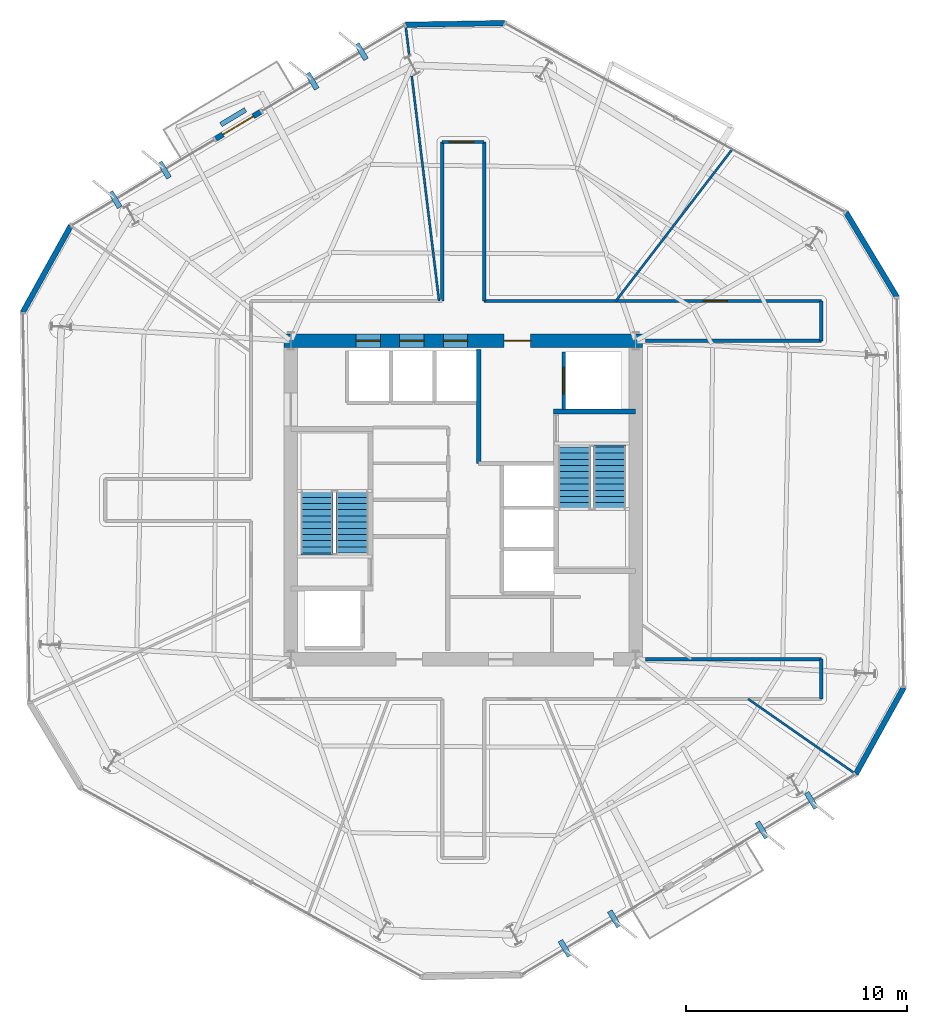
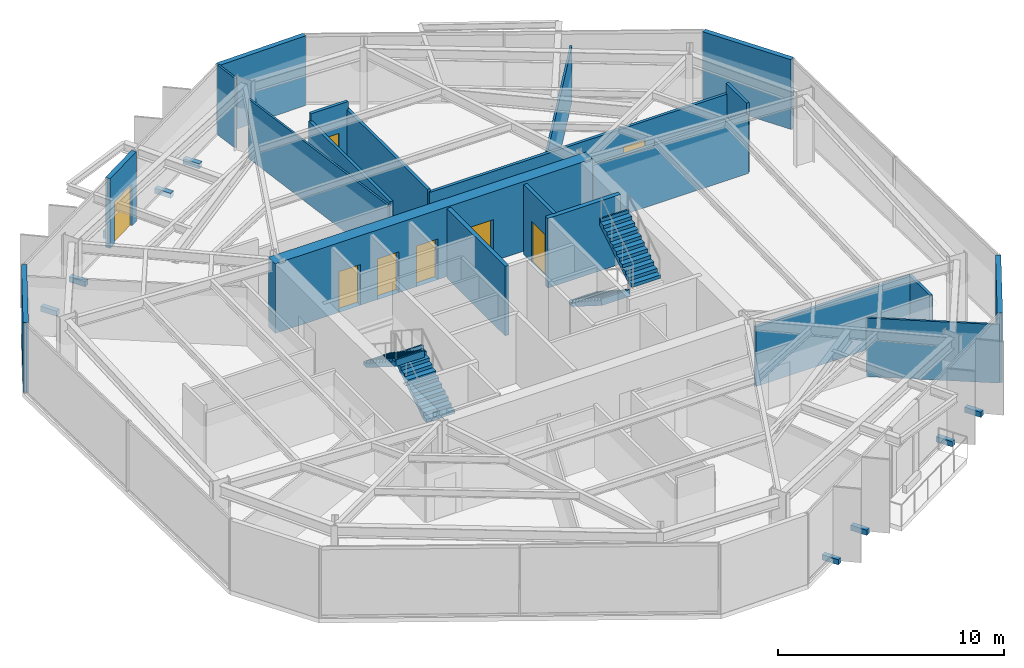
# One storey, part 8 of 11: 22 walls, 8 discrete accessories, 8 doors, 4 stair flights, 8 openings, 2 elements without a shape of their own.
"""IFC4 building model written with IfcOpenShell, lengths in metres."""

from ifc_helpers import new_model, si_unit, direction, frame, frame_2d, origin, origin_2d, place, context, subcontext, project, spatial, polyline, rectangle, outline, extrude, material, layer, layer_set, type_object, element, fill, aggregate, save


model = new_model("IFC4")

# Units and contexts
model_context = context("Model", 3, precision=1e-05, world=origin(), true_north=direction((0.0, 1.0)))
body_context = subcontext(model_context, "Body", "Model", "MODEL_VIEW")
ifc_project = project(units=[si_unit("LENGTHUNIT", "METRE"), si_unit("AREAUNIT", "SQUARE_METRE"), si_unit("VOLUMEUNIT", "CUBIC_METRE"), si_unit("PLANEANGLEUNIT", "RADIAN"), si_unit("MASSUNIT", "GRAM", prefix="KILO")], contexts=[model_context])

# Site, building, storey
site_placement = place(None, origin())
site = spatial("IfcSite", under=ifc_project, at=site_placement, CompositionType="ELEMENT")
building_placement = place(site_placement, origin())
building = spatial("IfcBuilding", under=site, at=building_placement, Name="Kranzbogen Civic Tower", CompositionType="ELEMENT")
storey_placement = place(building_placement, frame((0.0, 0.0, 146.39990234375)))
storey = spatial("IfcBuildingStorey", under=building, at=storey_placement, Name="L35", CompositionType="ELEMENT", Elevation=146.39990234375)

# Wall
ifc_material_1 = material(Name="Double-Stud Acoustic Gypsum Partition")
ifc_layer_1 = layer(ifc_material_1, 0.14990234375, Name="Double-Stud Acoustic Gypsum Partition")
ifc_layer_set_1 = layer_set([ifc_layer_1], Name="Double-Stud Acoustic Gypsum Partition")
wall_type_1 = type_object("IfcWallType", Name="Acoustic Corridor and Clinical Partition 150 mm", PredefinedType="PARTITIONING", material=ifc_layer_set_1)
wall_1_placement = place(storey_placement, frame((24.050048828125, 34.0, 0.0), z_axis=(0.0, 0.0, 1.0), x_axis=(0.0, 1.0, 0.0)))
element("IfcWall", 1, at=wall_1_placement, inside=storey, type_object=wall_type_1, Name="L35 corridor partition 11", PredefinedType="PARTITIONING", context=body_context, shape_type="SweptSolid", body=[
    extrude(rectangle(XDim=7.199951171875, YDim=0.14990234375, at=frame_2d((3.60009765625, 0.0))), origin(), (0.0, 0.0, 1.0), 3.360107421875),
])

# Wall, opening, door
wall_2_placement = place(storey_placement, frame((24.050048828125, 41.199951171875, 0.0), z_axis=(0.0, 0.0, 1.0), x_axis=(1.0, 0.0, 0.0)))
wall_2 = element("IfcWall", 2, at=wall_2_placement, inside=storey, type_object=wall_type_1, Name="L35 corridor partition 12", PredefinedType="PARTITIONING", context=body_context, shape_type="SweptSolid", body=[
    extrude(rectangle(XDim=1.89990234375, YDim=0.14990234375, at=frame_2d((0.949951171875, 0.0))), origin(), (0.0, 0.0, 1.0), 3.760009765625),
])
opening_1_placement = place(wall_2_placement, frame((0.320068359375, 0.0, 0.0)))
opening_1 = element("IfcOpeningElement", 3, at=opening_1_placement, cuts=wall_2, Name="Opening D-COR60", PredefinedType="OPENING", context=body_context, shape_type="SweptSolid", body=[
    extrude(rectangle(XDim=1.10009765625, YDim=2.199951171875, at=frame_2d((0.550048828125, 1.10009765625))), frame((0.0, 0.0849609375, 0.0), z_axis=(0.0, -1.0, 0.0), x_axis=(1.0, 0.0, 0.0)), (0.0, 0.0, 1.0), 0.169921875),
])
ifc_material_2 = material(Name="Oak Timber and Fire Core", Category="wood")
door_type_1 = type_object("IfcDoorType", Name="Corridor Acoustic Fire Door 1100x2200", OperationType="NOTDEFINED", PredefinedType="DOOR", material=ifc_material_2)
door_1_placement = place(opening_1_placement, origin())
door_1 = element("IfcDoor", 4, at=door_1_placement, inside=storey, type_object=door_type_1, Name="L35 Central Mail Post Room door", OperationType="SINGLE_SWING_RIGHT", OverallHeight=2.199951171875, OverallWidth=1.10009765625, PredefinedType="DOOR", context=body_context, shape_type="SweptSolid", body=[
    extrude(rectangle(XDim=1.10009765625, YDim=2.199951171875, at=frame_2d((0.550048828125, 1.10009765625))), frame((0.0, 0.02490234375, 0.0), z_axis=(0.0, -1.0, 0.0), x_axis=(1.0, 0.0, 0.0)), (0.0, 0.0, 1.0), 0.050048828125),
])
fill(opening_1, door_1)

# Wall
wall_3_placement = place(storey_placement, frame((25.949951171875, 41.199951171875, 0.0), z_axis=(0.0, 0.0, 1.0), x_axis=(0.0, -1.0, 0.0)))
element("IfcWall", 5, at=wall_3_placement, inside=storey, type_object=wall_type_1, Name="L35 corridor partition 13", PredefinedType="PARTITIONING", context=body_context, shape_type="SweptSolid", body=[
    extrude(rectangle(XDim=7.199951171875, YDim=0.14990234375, at=frame_2d((3.60009765625, 0.0))), origin(), (0.0, 0.0, 1.0), 3.360107421875),
])

# Wall, opening, door
wall_4_placement = place(storey_placement, frame((25.949951171875, 34.0, 0.0), z_axis=(0.0, 0.0, 1.0), x_axis=(1.0, 0.0, 0.0)))
wall_4 = element("IfcWall", 6, at=wall_4_placement, inside=storey, type_object=wall_type_1, Name="L35 corridor partition 14", PredefinedType="PARTITIONING", context=body_context, shape_type="SweptSolid", body=[
    extrude(rectangle(XDim=15.25, YDim=0.14990234375, at=frame_2d((7.625, 0.0))), origin(), (0.0, 0.0, 1.0), 3.210205078125),
])
opening_2_placement = place(wall_4_placement, frame((9.90087890625, 0.0, 0.0)))
opening_2 = element("IfcOpeningElement", 7, at=opening_2_placement, cuts=wall_4, Name="Opening D-COR60", PredefinedType="OPENING", context=body_context, shape_type="SweptSolid", body=[
    extrude(rectangle(XDim=1.10009765625, YDim=2.199951171875, at=frame_2d((0.550048828125, 1.10009765625))), frame((0.0, 0.0849609375, 0.0), z_axis=(0.0, -1.0, 0.0), x_axis=(1.0, 0.0, 0.0)), (0.0, 0.0, 1.0), 0.169921875),
])
door_2_placement = place(opening_2_placement, origin())
door_2 = element("IfcDoor", 8, at=door_2_placement, inside=storey, type_object=door_type_1, Name="L35 Operations Security Control Room door", OperationType="SINGLE_SWING_LEFT", OverallHeight=2.199951171875, OverallWidth=1.10009765625, PredefinedType="DOOR", context=body_context, shape_type="SweptSolid", body=[
    extrude(rectangle(XDim=1.10009765625, YDim=2.199951171875, at=frame_2d((0.550048828125, 1.10009765625))), frame((0.0, 0.02490234375, 0.0), z_axis=(0.0, -1.0, 0.0), x_axis=(1.0, 0.0, 0.0)), (0.0, 0.0, 1.0), 0.050048828125),
])
fill(opening_2, door_2)

# Walls
wall_5_placement = place(storey_placement, frame((41.199951171875, 34.0, 0.0), z_axis=(0.0, 0.0, 1.0), x_axis=(0.0, -1.0, 0.0)))
element("IfcWall", 9, at=wall_5_placement, inside=storey, type_object=wall_type_1, Name="L35 corridor partition 15", PredefinedType="PARTITIONING", context=body_context, shape_type="SweptSolid", body=[
    extrude(rectangle(XDim=1.800048828125, YDim=0.14990234375, at=frame_2d((0.89990234375, 0.0))), origin(), (0.0, 0.0, 1.0), 3.760009765625),
])
for number, where, z_axis, x_axis, name in (
    (10, (41.199951171875, 32.199951171875, 0.0), (0.0, 0.0, 1.0), (-1.0, 0.0, 0.0), "L35 corridor partition 16"),
    (11, (33.2470703125, 17.800048828125, 0.0), (0.0, 0.0, 1.0), (1.0, 0.0, 0.0), "L35 corridor partition 17"),
):
    element("IfcWall", number, at=place(storey_placement, frame(where, z_axis=z_axis, x_axis=x_axis)), inside=storey, type_object=wall_type_1, Name=name, PredefinedType="PARTITIONING", context=body_context, shape_type="SweptSolid", body=[
        extrude(rectangle(XDim=7.952880859375, YDim=0.14990234375, at=frame_2d((3.9765625, 0.0))), origin(), (0.0, 0.0, 1.0), 3.210205078125),
    ])
wall_6_placement = place(storey_placement, frame((41.199951171875, 17.800048828125, 0.0), z_axis=(0.0, 0.0, 1.0), x_axis=(0.0, -1.0, 0.0)))
element("IfcWall", 12, at=wall_6_placement, inside=storey, type_object=wall_type_1, Name="L35 corridor partition 18", PredefinedType="PARTITIONING", context=body_context, shape_type="SweptSolid", body=[
    extrude(rectangle(XDim=1.800048828125, YDim=0.14990234375, at=frame_2d((0.89990234375, 0.0))), origin(), (0.0, 0.0, 1.0), 3.210205078125),
])
ifc_material_3 = material(Name="Architectural Precast Terracotta Concrete C40/50", Category="masonry")
ifc_layer_2 = layer(ifc_material_3, 0.219970703125, Name="Architectural Precast Terracotta Concrete C40/50")
ifc_layer_set_2 = layer_set([ifc_layer_2], Name="Architectural Precast Terracotta Concrete C40/50")
wall_type_2 = type_object("IfcWallType", Name="Architectural Tree Planter Kerb Wall 220 mm", PredefinedType="USERDEFINED", material=ifc_layer_set_2)
wall_7_placement = place(storey_placement, frame((15.15087890625, 42.654052734375, 0.0), z_axis=(0.0, 0.0, 1.0), x_axis=(-0.856845918969, -0.515572566324, 0.0)))
element("IfcWall", 13, at=wall_7_placement, inside=storey, type_object=wall_type_2, Name="L35 landscaped tree balcony planter L35-TB2", ObjectType="PLANTER_WALL", PredefinedType="USERDEFINED", context=body_context, shape_type="SweptSolid", body=[
    extrude(rectangle(XDim=1.2998046875, YDim=0.219970703125, at=frame_2d((0.64990234375, 0.0))), origin(), (0.0, 0.0, 1.0), 0.400146484375),
])

# Wall, openings, doors
ifc_material_4 = material(Name="Concrete C55/67", Category="concrete")
ifc_layer_3 = layer(ifc_material_4, 0.60009765625, Name="Concrete C55/67")
ifc_layer_set_3 = layer_set([ifc_layer_3], Name="Concrete C55/67")
wall_type_3 = type_object("IfcWallType", Name="Central Core Shear Wall 600 mm", PredefinedType="SHEAR", material=ifc_layer_set_3)
wall_8_placement = place(storey_placement, frame((33.10009765625, 32.199951171875, 0.0), z_axis=(0.0, 0.0, 1.0), x_axis=(-1.0, 0.0, 0.0)))
wall_8 = element("IfcWall", 14, at=wall_8_placement, inside=storey, type_object=wall_type_3, Name="L35 central core North shear wall", PredefinedType="SHEAR", context=body_context, shape_type="SweptSolid", body=[
    extrude(rectangle(XDim=16.2001953125, YDim=0.60009765625, at=frame_2d((8.10009765625, 0.0))), origin(), (0.0, 0.0, 1.0), 3.760009765625),
])
opening_3_placement = place(wall_8_placement, frame((5.050048828125, 0.0, 0.0)))
opening_3 = element("IfcOpeningElement", 15, at=opening_3_placement, cuts=wall_8, Name="Opening D-EX120", PredefinedType="OPENING", context=body_context, shape_type="SweptSolid", body=[
    extrude(rectangle(XDim=1.199951171875, YDim=2.25, at=frame_2d((0.60009765625, 1.125))), frame((0.0, 0.31005859375, 0.0), z_axis=(0.0, -1.0, 0.0), x_axis=(1.0, 0.0, 0.0)), (0.0, 0.0, 1.0), 0.6201171875),
])
opening_4_placement = place(wall_8_placement, frame((11.85009765625, 0.0, 0.0)))
opening_4 = element("IfcOpeningElement", 16, at=opening_4_placement, cuts=wall_8, Name="Opening LD-MP-01", PredefinedType="OPENING", context=body_context, shape_type="SweptSolid", body=[
    extrude(rectangle(XDim=1.10009765625, YDim=2.199951171875, at=frame_2d((0.550048828125, 1.10009765625))), frame((0.0, 0.31005859375, 0.0), z_axis=(0.0, -1.0, 0.0), x_axis=(1.0, 0.0, 0.0)), (0.0, 0.0, 1.0), 0.6201171875),
])
opening_5_placement = place(wall_8_placement, frame((9.875, 0.0, 0.0)))
opening_5 = element("IfcOpeningElement", 17, at=opening_5_placement, cuts=wall_8, Name="Opening LD-MP-02", PredefinedType="OPENING", context=body_context, shape_type="SweptSolid", body=[
    extrude(rectangle(XDim=1.10009765625, YDim=2.199951171875, at=frame_2d((0.550048828125, 1.10009765625))), frame((0.0, 0.31005859375, 0.0), z_axis=(0.0, -1.0, 0.0), x_axis=(1.0, 0.0, 0.0)), (0.0, 0.0, 1.0), 0.6201171875),
])
opening_6_placement = place(wall_8_placement, frame((7.89990234375, 0.0, 0.0)))
opening_6 = element("IfcOpeningElement", 18, at=opening_6_placement, cuts=wall_8, Name="Opening LD-MP-03", PredefinedType="OPENING", context=body_context, shape_type="SweptSolid", body=[
    extrude(rectangle(XDim=1.10009765625, YDim=2.199951171875, at=frame_2d((0.550048828125, 1.10009765625))), frame((0.0, 0.31005859375, 0.0), z_axis=(0.0, -1.0, 0.0), x_axis=(1.0, 0.0, 0.0)), (0.0, 0.0, 1.0), 0.6201171875),
])
ifc_material_5 = material(Name="Steel S355", Category="steel")
door_type_2 = type_object("IfcDoorType", Name="Exit Passageway Fire Door 1200x2250", OperationType="NOTDEFINED", PredefinedType="DOOR", material=ifc_material_5)
door_3_placement = place(opening_3_placement, origin())
door_3 = element("IfcDoor", 19, at=door_3_placement, inside=storey, type_object=door_type_2, Name="L35 East firefighting lobby corridor door", OperationType="SINGLE_SWING_RIGHT", OverallHeight=2.25, OverallWidth=1.199951171875, PredefinedType="DOOR", context=body_context, shape_type="SweptSolid", body=[
    extrude(rectangle(XDim=1.199951171875, YDim=2.25, at=frame_2d((0.60009765625, 1.125))), frame((0.0, 0.02490234375, 0.0), z_axis=(0.0, -1.0, 0.0), x_axis=(1.0, 0.0, 0.0)), (0.0, 0.0, 1.0), 0.050048828125),
])
fill(opening_3, door_3)
ifc_material_6 = material(Name="Pale Anodised Aluminium", Category="aluminium")
door_type_3 = type_object("IfcDoorType", Name="Passenger Lift Sliding Landing Door 1100x2200", OperationType="DOUBLE_DOOR_SLIDING", PredefinedType="DOOR", material=ifc_material_6)
door_4_placement = place(opening_4_placement, origin())
door_4 = element("IfcDoor", 20, at=door_4_placement, inside=storey, type_object=door_type_3, Name="L35 lift MP-01 sliding landing door", OperationType="DOUBLE_DOOR_SLIDING", OverallHeight=2.199951171875, OverallWidth=1.10009765625, PredefinedType="DOOR", context=body_context, shape_type="SweptSolid", body=[
    extrude(rectangle(XDim=1.10009765625, YDim=2.199951171875, at=frame_2d((0.550048828125, 1.10009765625))), frame((0.0, 0.02490234375, 0.0), z_axis=(0.0, -1.0, 0.0), x_axis=(1.0, 0.0, 0.0)), (0.0, 0.0, 1.0), 0.050048828125),
])
fill(opening_4, door_4)
door_5_placement = place(opening_5_placement, origin())
door_5 = element("IfcDoor", 21, at=door_5_placement, inside=storey, type_object=door_type_3, Name="L35 lift MP-02 sliding landing door", OperationType="DOUBLE_DOOR_SLIDING", OverallHeight=2.199951171875, OverallWidth=1.10009765625, PredefinedType="DOOR", context=body_context, shape_type="SweptSolid", body=[
    extrude(rectangle(XDim=1.10009765625, YDim=2.199951171875, at=frame_2d((0.550048828125, 1.10009765625))), frame((0.0, 0.02490234375, 0.0), z_axis=(0.0, -1.0, 0.0), x_axis=(1.0, 0.0, 0.0)), (0.0, 0.0, 1.0), 0.050048828125),
])
fill(opening_5, door_5)
door_6_placement = place(opening_6_placement, origin())
door_6 = element("IfcDoor", 22, at=door_6_placement, inside=storey, type_object=door_type_3, Name="L35 lift MP-03 sliding landing door", OperationType="DOUBLE_DOOR_SLIDING", OverallHeight=2.199951171875, OverallWidth=1.10009765625, PredefinedType="DOOR", context=body_context, shape_type="SweptSolid", body=[
    extrude(rectangle(XDim=1.10009765625, YDim=2.199951171875, at=frame_2d((0.550048828125, 1.10009765625))), frame((0.0, 0.02490234375, 0.0), z_axis=(0.0, -1.0, 0.0), x_axis=(1.0, 0.0, 0.0)), (0.0, 0.0, 1.0), 0.050048828125),
])
fill(opening_6, door_6)

# Walls
ifc_material_7 = material(Name="Concrete C45/55", Category="concrete")
ifc_layer_4 = layer(ifc_material_7, 0.219970703125, Name="Concrete C45/55")
ifc_layer_set_4 = layer_set([ifc_layer_4], Name="Concrete C45/55")
wall_type_4 = type_object("IfcWallType", Name="Core Internal Stair Structural Wall 220 mm", PredefinedType="SOLIDWALL", material=ifc_layer_set_4)
wall_9_placement = place(storey_placement, frame((29.080078125, 29.010009765625, 0.0), z_axis=(0.0, 0.0, 1.0), x_axis=(1.0, 0.0, 0.0)))
element("IfcWall", 23, at=wall_9_placement, inside=storey, type_object=wall_type_4, Name="L35 ST-T2 North structural stair wall", PredefinedType="SOLIDWALL", context=body_context, shape_type="SweptSolid", body=[
    extrude(rectangle(XDim=3.719970703125, YDim=0.219970703125, at=frame_2d((1.85986328125, 0.0))), origin(), (0.0, 0.0, 1.0), 3.760009765625),
])
ifc_material_8 = material(Name="Demountable Aluminium and Gypsum Partition", Category="aluminium")
ifc_layer_5 = layer(ifc_material_8, 0.10009765625, Name="Demountable Aluminium and Gypsum Partition")
ifc_layer_set_5 = layer_set([ifc_layer_5], Name="Demountable Aluminium and Gypsum Partition")
wall_type_5 = type_object("IfcWallType", Name="Demountable Office Partition 100 mm", PredefinedType="MOVABLE", material=ifc_layer_set_5)
wall_10_placement = place(storey_placement, frame((31.903076171875, 34.0, 0.0), z_axis=(0.0, 0.0, 1.0), x_axis=(0.608641157294, 0.793445613541, 0.0)))
element("IfcWall", 24, at=wall_10_placement, inside=storey, type_object=wall_type_5, Name="L35 radial room partition 01", PredefinedType="MOVABLE", context=body_context, shape_type="SweptSolid", body=[
    extrude(rectangle(XDim=8.630615234375, YDim=0.10009765625, at=frame_2d((4.3154296875, 0.0))), origin(), (0.0, 0.0, 1.0), 3.02001953125),
])
wall_11_placement = place(storey_placement, frame((23.906982421875, 34.0, 0.0), z_axis=(0.0, 0.0, 1.0), x_axis=(-0.120609307466, 0.992700052862, 0.0)))
element("IfcWall", 25, at=wall_11_placement, inside=storey, type_object=wall_type_5, Name="L35 radial room partition 02 part 1", PredefinedType="MOVABLE", context=body_context, shape_type="SweptSolid", body=[
    extrude(rectangle(XDim=10.2568359375, YDim=0.10009765625, at=frame_2d((5.12841796875, 0.0))), origin(), (0.0, 0.0, 1.0), 3.210205078125),
])
wall_12_placement = place(storey_placement, frame((22.551025390625, 45.162109375, 0.0), z_axis=(0.0, 0.0, 1.0), x_axis=(-0.120545716325, 0.992707776879, 0.0)))
element("IfcWall", 26, at=wall_12_placement, inside=storey, type_object=wall_type_5, Name="L35 radial room partition 02 part 2", PredefinedType="MOVABLE", context=body_context, shape_type="SweptSolid", body=[
    extrude(rectangle(XDim=1.32666015625, YDim=0.10009765625, at=frame_2d((0.663330078125, 0.0))), origin(), (0.0, 0.0, 1.0), 3.760009765625),
])
wall_13_placement = place(storey_placement, frame((37.888916015625, 16.0, 0.0), z_axis=(0.0, 0.0, 1.0), x_axis=(0.819929213153, -0.572464920688, 0.0)))
element("IfcWall", 27, at=wall_13_placement, inside=storey, type_object=wall_type_5, Name="L35 radial room partition 08", PredefinedType="MOVABLE", context=body_context, shape_type="SweptSolid", body=[
    extrude(rectangle(XDim=5.91650390625, YDim=0.10009765625, at=frame_2d((2.958251953125, 0.0))), origin(), (0.0, 0.0, 1.0), 3.16015625),
])
ifc_material_9 = material(Name="Gypsum Fireboard and Concrete Block", Category="concrete")
ifc_layer_6 = layer(ifc_material_9, 0.199951171875, Name="Gypsum Fireboard and Concrete Block")
ifc_layer_set_6 = layer_set([ifc_layer_6], Name="Gypsum Fireboard and Concrete Block")
wall_type_6 = type_object("IfcWallType", Name="Fire-Rated Exit Passageway and Stair Wall 200 mm", PredefinedType="PARTITIONING", material=ifc_layer_set_6)
wall_14_placement = place(storey_placement, frame((25.699951171875, 26.64990234375, 0.0), z_axis=(0.0, 0.0, 1.0), x_axis=(0.0, 1.0, 0.0)))
element("IfcWall", 28, at=wall_14_placement, inside=storey, type_object=wall_type_6, Name="L35 East firefighting lobby West wall", PredefinedType="PARTITIONING", context=body_context, shape_type="SweptSolid", body=[
    extrude(rectangle(XDim=5.150146484375, YDim=0.199951171875, at=frame_2d((2.5751953125, 0.0))), origin(), (0.0, 0.0, 1.0), 3.760009765625),
])

# Wall, opening, door
ifc_material_10 = material(Name="Gypsum Fireboard Shaftliner")
ifc_layer_7 = layer(ifc_material_10, 0.175048828125, Name="Gypsum Fireboard Shaftliner")
ifc_layer_set_7 = layer_set([ifc_layer_7], Name="Gypsum Fireboard Shaftliner")
wall_type_7 = type_object("IfcWallType", Name="Fire-Rated Lift and Service Shaft Wall 175 mm", PredefinedType="PARTITIONING", material=ifc_layer_set_7)
wall_15_placement = place(storey_placement, frame((29.550048828125, 29.10009765625, 0.0), z_axis=(0.0, 0.0, 1.0), x_axis=(0.0, 1.0, 0.0)))
wall_15 = element("IfcWall", 29, at=wall_15_placement, inside=storey, type_object=wall_type_7, Name="L35 lift FF-02 landing wall", PredefinedType="PARTITIONING", context=body_context, shape_type="SweptSolid", body=[
    extrude(rectangle(XDim=2.599853515625, YDim=0.175048828125, at=frame_2d((1.2998046875, 0.0))), origin(), (0.0, 0.0, 1.0), 3.760009765625),
])
opening_7_placement = place(wall_15_placement, frame((0.699951171875, 0.0, 0.0)))
opening_7 = element("IfcOpeningElement", 30, at=opening_7_placement, cuts=wall_15, Name="Opening LD-FF-02", PredefinedType="OPENING", context=body_context, shape_type="SweptSolid", body=[
    extrude(rectangle(XDim=1.199951171875, YDim=2.199951171875, at=frame_2d((0.60009765625, 1.10009765625))), frame((0.0, 0.09765625, 0.0), z_axis=(0.0, -1.0, 0.0), x_axis=(1.0, 0.0, 0.0)), (0.0, 0.0, 1.0), 0.195068359375),
])
door_type_4 = type_object("IfcDoorType", Name="Firefighting and Stretcher Lift Sliding Landing Door 1200x2200", OperationType="DOUBLE_DOOR_SLIDING", PredefinedType="DOOR", material=ifc_material_6)
door_7_placement = place(opening_7_placement, origin())
door_7 = element("IfcDoor", 31, at=door_7_placement, inside=storey, type_object=door_type_4, Name="L35 lift FF-02 sliding landing door", OperationType="DOUBLE_DOOR_SLIDING", OverallHeight=2.199951171875, OverallWidth=1.199951171875, PredefinedType="DOOR", context=body_context, shape_type="SweptSolid", body=[
    extrude(rectangle(XDim=1.199951171875, YDim=2.199951171875, at=frame_2d((0.60009765625, 1.10009765625))), frame((0.0, 0.02490234375, 0.0), z_axis=(0.0, -1.0, 0.0), x_axis=(1.0, 0.0, 0.0)), (0.0, 0.0, 1.0), 0.050048828125),
])
fill(opening_7, door_7)

# Wall
ifc_layer_8 = layer(ifc_material_6, 0.239990234375, Name="Pale Anodised Aluminium")
ifc_layer_set_8 = layer_set([ifc_layer_8], Name="Pale Anodised Aluminium")
wall_type_8 = type_object("IfcWallType", Name="Insulated Aluminium Facade Portal Wall 240 mm", PredefinedType="STANDARD", material=ifc_layer_set_8)
wall_16_placement = place(storey_placement, frame((26.85888671875, 46.575927734375, 0.0), z_axis=(0.0, 0.0, 1.0), x_axis=(-0.999848251902, -0.017420481313, 0.0)))
element("IfcWall", 32, at=wall_16_placement, inside=storey, type_object=wall_type_8, Name="L35 chamfered corner facade spandrel 1", PredefinedType="STANDARD", context=body_context, shape_type="SweptSolid", body=[
    extrude(rectangle(XDim=4.470703125, YDim=0.239990234375, at=frame_2d((2.2353515625, 0.0))), origin(), (0.0, 0.0, 1.0), 3.760009765625),
])

# Wall, opening, door
wall_17_placement = place(storey_placement, frame((15.844970703125, 42.56591796875, 0.0), z_axis=(0.0, 0.0, 1.0), x_axis=(-0.857178561762, -0.515019332895, 0.0)))
wall_17 = element("IfcWall", 33, at=wall_17_placement, inside=storey, type_object=wall_type_8, Name="L35 exterior entrance portal wall 1", PredefinedType="STANDARD", context=body_context, shape_type="SweptSolid", body=[
    extrude(rectangle(XDim=2.399658203125, YDim=0.239990234375, at=frame_2d((1.19970703125, 0.0))), origin(), (0.0, 0.0, 1.0), 3.760009765625),
])
opening_8_placement = place(wall_17_placement, frame((0.39990234375, 0.0, 0.0)))
opening_8 = element("IfcOpeningElement", 34, at=opening_8_placement, cuts=wall_17, Name="Opening D-TER", PredefinedType="OPENING", context=body_context, shape_type="SweptSolid", body=[
    extrude(rectangle(XDim=1.60009765625, YDim=2.25, at=frame_2d((0.800048828125, 1.125))), frame((0.0, 0.1298828125, 0.0), z_axis=(0.0, -1.0, 0.0), x_axis=(1.0, 0.0, 0.0)), (0.0, 0.0, 1.0), 0.260009765625),
])
ifc_material_11 = material(Name="Anodised Bronze and Triple Glass", Category="glass")
door_type_5 = type_object("IfcDoorType", Name="Glazed Terrace and Balcony Double Door 1600x2250", OperationType="DOUBLE_DOOR_SINGLE_SWING", PredefinedType="DOOR", material=ifc_material_11)
door_8_placement = place(opening_8_placement, frame((1.60009765625, 0.0, 0.0), z_axis=(0.0, 0.0, 1.0), x_axis=(-1.0, 0.0, 0.0)))
door_8 = element("IfcDoor", 35, at=door_8_placement, inside=storey, type_object=door_type_5, Name="L35 tree balcony access door L35-TB2", OperationType="DOUBLE_DOOR_SINGLE_SWING", OverallHeight=2.25, OverallWidth=1.60009765625, PredefinedType="DOOR", context=body_context, shape_type="SweptSolid", body=[
    extrude(rectangle(XDim=1.60009765625, YDim=2.25, at=frame_2d((0.800048828125, 1.125))), frame((0.0, 0.02490234375, 0.0), z_axis=(0.0, -1.0, 0.0), x_axis=(1.0, 0.0, 0.0)), (0.0, 0.0, 1.0), 0.050048828125),
])
fill(opening_8, door_8)

# Walls
for number, where, z_axis, x_axis, name in (
    (36, (7.2451171875, 37.39794921875, 0.0), (0.0, 0.0, 1.0), (-0.484965863304, -0.874533081953, 0.0), "L35 chamfered corner facade spandrel 2"),
    (37, (42.7548828125, 12.60205078125, 0.0), (0.0, 0.0, 1.0), (0.484965863304, 0.874533081953, 0.0), "L35 chamfered corner facade spandrel 5"),
):
    element("IfcWall", number, at=place(storey_placement, frame(where, z_axis=z_axis, x_axis=x_axis)), inside=storey, type_object=wall_type_8, Name=name, PredefinedType="STANDARD", context=body_context, shape_type="SweptSolid", body=[
        extrude(rectangle(XDim=4.470947265625, YDim=0.239990234375, at=frame_2d((2.2353515625, 0.0))), origin(), (0.0, 0.0, 1.0), 3.760009765625),
    ])
wall_18_placement = place(storey_placement, frame((44.614990234375, 34.177978515625, 0.0), z_axis=(0.0, 0.0, 1.0), x_axis=(-0.515113973, 0.857121691955, 0.0)))
element("IfcWall", 38, at=wall_18_placement, inside=storey, type_object=wall_type_8, Name="L35 chamfered corner facade spandrel 6", PredefinedType="STANDARD", context=body_context, shape_type="SweptSolid", body=[
    extrude(rectangle(XDim=4.470703125, YDim=0.239990234375, at=frame_2d((2.2353515625, 0.0))), origin(), (0.0, 0.0, 1.0), 3.760009765625),
])

# Stair, stair flights
ifc_material_12 = material(Name="Precast concrete C40/50", Category="concrete")
stair_type_1 = type_object("IfcStairType", Name="Tower Core Pressurized Dogleg Stair 1450", PredefinedType="HALF_TURN_STAIR", material=ifc_material_12)
stair_1_placement = place(storey_placement, origin())
stair_1 = element("IfcStair", 39, at=stair_1_placement, inside=storey, type_object=stair_type_1, Name="L35 Tower Core Pressurized Stair 1", PredefinedType="HALF_TURN_STAIR")
stair_flight_type = type_object("IfcStairFlightType", Name="Precast Concrete Stair Flight R180", PredefinedType="STRAIGHT", material=ifc_material_12)
stair_flight_1_placement = place(storey_placement, frame((19.97509765625, 22.60009765625, 0.0), z_axis=(0.0, 0.0, 1.0), x_axis=(0.0, 1.0, 0.0)))
stair_flight_1 = element("IfcStairFlight", 40, at=stair_flight_1_placement, type_object=stair_flight_type, Name="ST-T1 flight 1", NumberOfRisers=11, NumberOfTreads=10, PredefinedType="STRAIGHT", RiserHeight=0.181818182, TreadLength=0.28, context=body_context, shape_type="SweptSolid", body=[
    extrude(outline(polyline([(0.0, 0.0), (0.0, 0.181884765625), (0.280029296875, 0.181884765625), (0.280029296875, 0.363525390625), (0.56005859375, 0.363525390625), (0.56005859375, 0.54541015625), (0.840087890625, 0.54541015625), (0.840087890625, 0.727294921875), (1.1201171875, 0.727294921875), (1.1201171875, 0.9091796875), (1.39990234375, 0.9091796875), (1.39990234375, 1.0908203125), (1.679931640625, 1.0908203125), (1.679931640625, 1.272705078125), (1.9599609375, 1.272705078125), (1.9599609375, 1.45458984375), (2.239990234375, 1.45458984375), (2.239990234375, 1.636474609375), (2.52001953125, 1.636474609375), (2.52001953125, 1.818115234375), (2.800048828125, 1.818115234375), (2.800048828125, 2.0), (2.880126953125, 2.0), (2.880126953125, 1.639404296875), (0.275146484375, 0.0), (0.0, 0.0)])), frame((0.0, 0.72509765625, 0.0), z_axis=(0.0, -1.0, 0.0), x_axis=(1.0, 0.0, 0.0)), (0.0, 0.0, 1.0), 1.449951171875),
])
stair_flight_2_placement = place(storey_placement, frame((18.375, 25.39990234375, 2.0), z_axis=(0.0, 0.0, 1.0), x_axis=(0.0, -1.0, 0.0)))
stair_flight_2 = element("IfcStairFlight", 41, at=stair_flight_2_placement, type_object=stair_flight_type, Name="ST-T1 flight 2", NumberOfRisers=11, NumberOfTreads=10, PredefinedType="STRAIGHT", RiserHeight=0.181818182, TreadLength=0.28, context=body_context, shape_type="SweptSolid", body=[
    extrude(outline(polyline([(0.0, 0.0), (0.0, 0.181884765625), (0.280029296875, 0.181884765625), (0.280029296875, 0.363525390625), (0.56005859375, 0.363525390625), (0.56005859375, 0.54541015625), (0.840087890625, 0.54541015625), (0.840087890625, 0.727294921875), (1.1201171875, 0.727294921875), (1.1201171875, 0.9091796875), (1.39990234375, 0.9091796875), (1.39990234375, 1.0908203125), (1.679931640625, 1.0908203125), (1.679931640625, 1.272705078125), (1.9599609375, 1.272705078125), (1.9599609375, 1.45458984375), (2.239990234375, 1.45458984375), (2.239990234375, 1.636474609375), (2.52001953125, 1.636474609375), (2.52001953125, 1.818115234375), (2.800048828125, 1.818115234375), (2.800048828125, 2.0), (2.880126953125, 2.0), (2.880126953125, 1.639404296875), (0.275146484375, 0.0), (0.0, 0.0)])), frame((0.0, 0.72509765625, 0.0), z_axis=(0.0, -1.0, 0.0), x_axis=(1.0, 0.0, 0.0)), (0.0, 0.0, 1.0), 1.449951171875),
])
aggregate(stair_1, [stair_flight_1, stair_flight_2])

stair_type_2 = type_object("IfcStairType", Name="Tower Core Secondary Dogleg Stair 1450", PredefinedType="HALF_TURN_STAIR", material=ifc_material_12)
stair_2_placement = place(storey_placement, origin())
stair_2 = element("IfcStair", 42, at=stair_2_placement, inside=storey, type_object=stair_type_2, Name="L35 Tower Core Pressurized Stair 2", PredefinedType="HALF_TURN_STAIR")
stair_flight_3_placement = place(storey_placement, frame((30.02490234375, 27.39990234375, 0.0), z_axis=(0.0, 0.0, 1.0), x_axis=(0.0, -1.0, 0.0)))
stair_flight_3 = element("IfcStairFlight", 43, at=stair_flight_3_placement, type_object=stair_flight_type, Name="ST-T2 flight 1", NumberOfRisers=11, NumberOfTreads=10, PredefinedType="STRAIGHT", RiserHeight=0.181818182, TreadLength=0.28, context=body_context, shape_type="SweptSolid", body=[
    extrude(outline(polyline([(0.0, 0.0), (0.0, 0.181884765625), (0.280029296875, 0.181884765625), (0.280029296875, 0.363525390625), (0.56005859375, 0.363525390625), (0.56005859375, 0.54541015625), (0.840087890625, 0.54541015625), (0.840087890625, 0.727294921875), (1.1201171875, 0.727294921875), (1.1201171875, 0.9091796875), (1.39990234375, 0.9091796875), (1.39990234375, 1.0908203125), (1.679931640625, 1.0908203125), (1.679931640625, 1.272705078125), (1.9599609375, 1.272705078125), (1.9599609375, 1.45458984375), (2.239990234375, 1.45458984375), (2.239990234375, 1.636474609375), (2.52001953125, 1.636474609375), (2.52001953125, 1.818115234375), (2.800048828125, 1.818115234375), (2.800048828125, 2.0), (2.880126953125, 2.0), (2.880126953125, 1.639404296875), (0.275146484375, 0.0), (0.0, 0.0)])), frame((0.0, 0.72509765625, 0.0), z_axis=(0.0, -1.0, 0.0), x_axis=(1.0, 0.0, 0.0)), (0.0, 0.0, 1.0), 1.449951171875),
])
stair_flight_4_placement = place(storey_placement, frame((31.625, 24.60009765625, 2.0), z_axis=(0.0, 0.0, 1.0), x_axis=(0.0, 1.0, 0.0)))
stair_flight_4 = element("IfcStairFlight", 44, at=stair_flight_4_placement, type_object=stair_flight_type, Name="ST-T2 flight 2", NumberOfRisers=11, NumberOfTreads=10, PredefinedType="STRAIGHT", RiserHeight=0.181818182, TreadLength=0.28, context=body_context, shape_type="SweptSolid", body=[
    extrude(outline(polyline([(0.0, 0.0), (0.0, 0.181884765625), (0.280029296875, 0.181884765625), (0.280029296875, 0.363525390625), (0.56005859375, 0.363525390625), (0.56005859375, 0.54541015625), (0.840087890625, 0.54541015625), (0.840087890625, 0.727294921875), (1.1201171875, 0.727294921875), (1.1201171875, 0.9091796875), (1.39990234375, 0.9091796875), (1.39990234375, 1.0908203125), (1.679931640625, 1.0908203125), (1.679931640625, 1.272705078125), (1.9599609375, 1.272705078125), (1.9599609375, 1.45458984375), (2.239990234375, 1.45458984375), (2.239990234375, 1.636474609375), (2.52001953125, 1.636474609375), (2.52001953125, 1.818115234375), (2.800048828125, 1.818115234375), (2.800048828125, 2.0), (2.880126953125, 2.0), (2.880126953125, 1.639404296875), (0.275146484375, 0.0), (0.0, 0.0)])), frame((0.0, 0.72509765625, 0.0), z_axis=(0.0, -1.0, 0.0), x_axis=(1.0, 0.0, 0.0)), (0.0, 0.0, 1.0), 1.449951171875),
])
aggregate(stair_2, [stair_flight_3, stair_flight_4])

# Discrete accessories
discrete_accessory_type = type_object("IfcDiscreteAccessoryType", Name="Structural Curtain-Wall Fin Support Bracket", PredefinedType="BRACKET", material=ifc_material_5)
for number, where, z_axis, x_axis, name in (
    (45, (20.39501953125, 45.284912109375, -0.25), (0.0, 0.0, 1.0), (-0.51503807491, 0.857167300702, 0.0), "L35 facade fin support bracket F2-1"),
    (46, (18.166015625, 43.946044921875, -0.25), (0.0, 0.0, 1.0), (-0.51503807491, 0.857167300702, 0.0), "L35 facade fin support bracket F2-2"),
    (47, (11.47998046875, 39.928955078125, -0.25), (0.0, 0.0, 1.0), (-0.51503807491, 0.857167300702, 0.0), "L35 facade fin support bracket F2-5"),
    (48, (9.251953125, 38.590087890625, -0.25), (0.0, 0.0, 1.0), (-0.51503807491, 0.857167300702, 0.0), "L35 facade fin support bracket F2-6"),
    (49, (29.60498046875, 4.715087890625, -0.25), (0.0, 0.0, 1.0), (0.51503807491, -0.857167300702, 0.0), "L35 facade fin support bracket F5-1"),
    (50, (31.833984375, 6.053955078125, -0.25), (0.0, 0.0, 1.0), (0.51503807491, -0.857167300702, 0.0), "L35 facade fin support bracket F5-2"),
    (51, (38.52001953125, 10.071044921875, -0.25), (0.0, 0.0, 1.0), (0.51503807491, -0.857167300702, 0.0), "L35 facade fin support bracket F5-5"),
    (52, (40.748046875, 11.409912109375, -0.25), (0.0, 0.0, 1.0), (0.51503807491, -0.857167300702, 0.0), "L35 facade fin support bracket F5-6"),
):
    element("IfcDiscreteAccessory", number, at=place(storey_placement, frame(where, z_axis=z_axis, x_axis=x_axis)), inside=storey, type_object=discrete_accessory_type, Name=name, PredefinedType="BRACKET", context=body_context, shape_type="SweptSolid", body=[
        extrude(rectangle(XDim=0.820068359375, YDim=0.239990234375, at=origin_2d()), origin(), (0.0, 0.0, 1.0), 0.280029296875),
    ])

save(model, "model.ifc")
